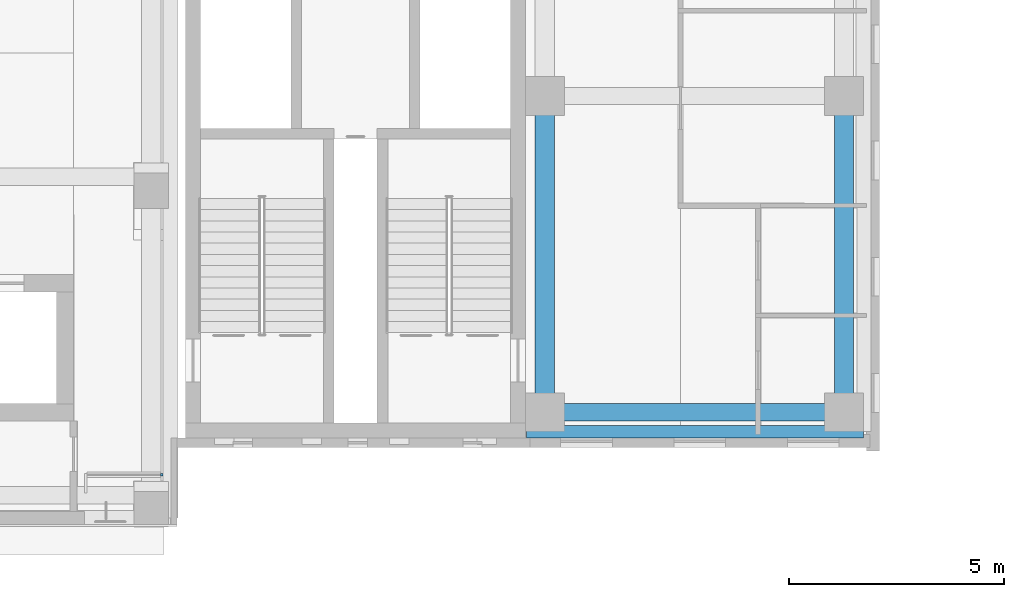
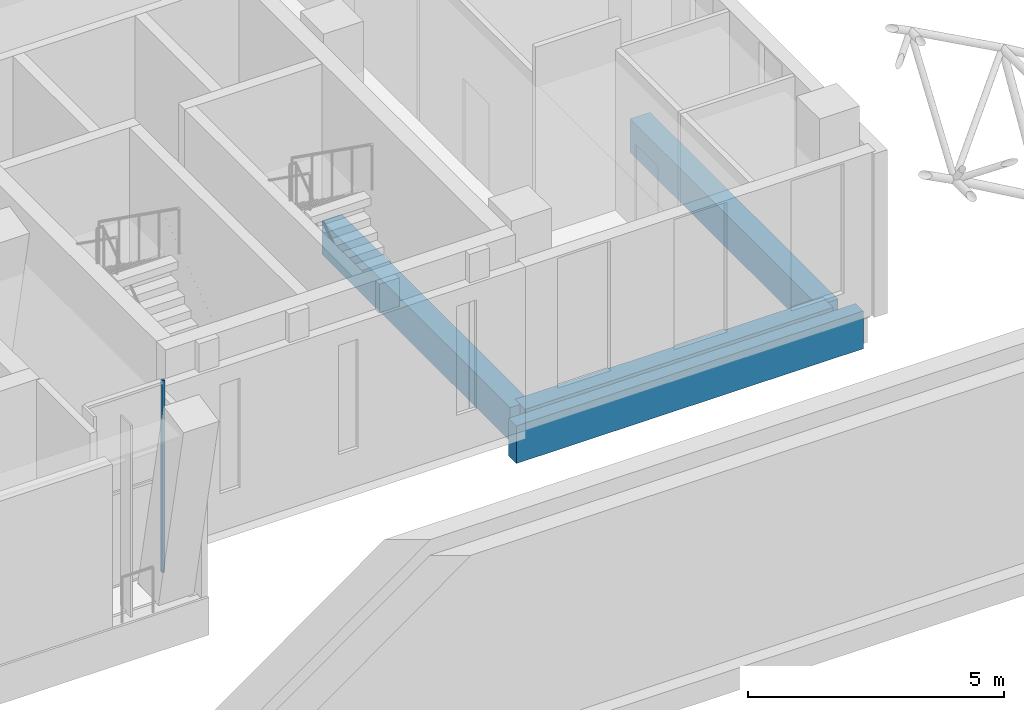
# One storey, part 56 of 141: 4 beams, 1 member, 1 element without a shape of its own.
"""IFC4 building model written with IfcOpenShell, lengths in metres."""

import ifcopenshell
import ifcopenshell.guid

model = None  # the IFC model being written
_history = None  # IfcOwnerHistory: only IFC2X3 demands one
_inside = {}  # id of a spatial element -> (the spatial element, [elements in it])
_under = {}  # id of a project, library or spatial element -> (it, [spatial elements below it])
_declared = {}  # id of a project -> (the project, [libraries it declares])
_typed = {}  # id of a type object -> (the type object, [elements of that type])
_made_of = {}  # id of a material, layer set ... -> (it, [elements and type objects made of it])


def new_model(schema):
    """Start an empty IFC model of exactly this schema.

    Asked for "IFC4X3", IfcOpenShell would pick the latest addendum, in which some entities
    have other attributes; the version numbers below select the first issue.
    IFC2X3 requires an IfcOwnerHistory on every rooted entity: one is made here for all.
    """
    global model, _history
    if schema == "IFC4X3":
        model = ifcopenshell.file(schema_version=(4, 3, 0, 0))
    else:
        model = ifcopenshell.file(schema=schema)
    _inside.clear()
    _under.clear()
    _declared.clear()
    _typed.clear()
    _made_of.clear()
    _history = None
    if model.schema == "IFC2X3":
        org = make("IfcOrganization", Name="unknown")
        user = make(
            "IfcPersonAndOrganization",
            ThePerson=make("IfcPerson", FamilyName="unknown"),
            TheOrganization=org,
        )
        app = make(
            "IfcApplication",
            ApplicationDeveloper=org,
            Version="unknown",
            ApplicationFullName="unknown",
            ApplicationIdentifier="unknown",
        )
        _history = make(
            "IfcOwnerHistory",
            OwningUser=user,
            OwningApplication=app,
            ChangeAction="ADDED",
            CreationDate=0,
        )
    return model


def make(cls, **values):
    """One entity of the class cls with the attributes given. An attribute that is None is left unset."""
    return model.create_entity(
        cls, **{name: value for name, value in values.items() if value is not None}
    )


def rooted(cls, **values):
    """An entity with a GlobalId (a new one), such as an element, a storey or a relation."""
    return make(cls, GlobalId=ifcopenshell.guid.new(), OwnerHistory=_history, **values)


def si_unit(unit_type, name, prefix=None):
    """IfcSIUnit, for example si_unit("LENGTHUNIT", "METRE", prefix="MILLI")."""
    return make("IfcSIUnit", UnitType=unit_type, Prefix=prefix, Name=name)


def assignment(units):
    """IfcUnitAssignment: the units of a project."""
    return None if units is None else make("IfcUnitAssignment", Units=units)


def point(xyz):
    """IfcCartesianPoint."""
    return None if xyz is None else make("IfcCartesianPoint", Coordinates=xyz)


def direction(xyz):
    """IfcDirection."""
    return None if xyz is None else make("IfcDirection", DirectionRatios=xyz)


def frame(location, z_axis=None, x_axis=None):
    """IfcAxis2Placement3D, a coordinate frame: its origin and axes. An axis left out is left unset."""
    return make(
        "IfcAxis2Placement3D",
        Location=point(location),
        Axis=direction(z_axis),
        RefDirection=direction(x_axis),
    )


def frame_2d(location, x_axis=None):
    """IfcAxis2Placement2D, a coordinate frame in the plane: its origin and x axis."""
    return make(
        "IfcAxis2Placement2D", Location=point(location), RefDirection=direction(x_axis)
    )


def origin():
    """The frame at (0, 0, 0) with its axes left unset."""
    return frame((0.0, 0.0, 0.0))


def origin_2d():
    """The frame at (0, 0) in the plane with its x axis left unset."""
    return frame_2d((0.0, 0.0))


def place(relative_to, where):
    """IfcLocalPlacement: puts the frame where relative to a parent placement (None: the world)."""
    return make(
        "IfcLocalPlacement", PlacementRelTo=relative_to, RelativePlacement=where
    )


def context(
    kind, dimensions, precision=None, world=None, true_north=None, identifier=None
):
    """IfcGeometricRepresentationContext, for example the 3D "Model" context."""
    return make(
        "IfcGeometricRepresentationContext",
        ContextIdentifier=identifier,
        ContextType=kind,
        CoordinateSpaceDimension=dimensions,
        Precision=precision,
        WorldCoordinateSystem=world,
        TrueNorth=true_north,
    )


def subcontext(parent, identifier, kind, view, scale=None):
    """IfcGeometricRepresentationSubContext, for example "Body" below "Model"."""
    return make(
        "IfcGeometricRepresentationSubContext",
        ContextIdentifier=identifier,
        ContextType=kind,
        ParentContext=parent,
        TargetScale=scale,
        TargetView=view,
    )


def project(units=None, contexts=None):
    """IfcProject with its units and contexts."""
    return rooted(
        "IfcProject",
        Name="project",
        RepresentationContexts=contexts,
        UnitsInContext=assignment(units),
    )


def spatial(cls, under=None, at=None, **own):
    """A site, building, storey or space (cls), placed at a placement, below another one or the project."""
    s = rooted(cls, ObjectPlacement=at, **own)
    if under is not None:
        _under.setdefault(under.id(), (under, []))[1].append(s)
    return s


def profile(cls, at=None, kind="AREA", **sizes):
    """A parametric profile (cls). Its sizes go by their IFC names, for example OverallWidth=200.0."""
    return make(cls, ProfileType=kind, Position=at, **sizes)


def rectangle(**sizes):
    """IfcRectangleProfileDef."""
    return profile("IfcRectangleProfileDef", **sizes)


def extrude(swept, where, along, depth):
    """IfcExtrudedAreaSolid: the profile swept, set in the frame where, extruded along a direction by depth."""
    return make(
        "IfcExtrudedAreaSolid",
        SweptArea=swept,
        Position=where,
        ExtrudedDirection=direction(along),
        Depth=depth,
    )


def shape(context_of_items, identifier, shape_type, items):
    """IfcShapeRepresentation: the items that make up one representation, for example the "Body"."""
    return make(
        "IfcShapeRepresentation",
        ContextOfItems=context_of_items,
        RepresentationIdentifier=identifier,
        RepresentationType=shape_type,
        Items=items,
    )


def material(Name=None, Category=None):
    """IfcMaterial."""
    return make("IfcMaterial", Name=Name, Category=Category)


def material_profile(
    of_material, cross_section, Name=None, Category=None, Priority=None
):
    """IfcMaterialProfile: a cross section and its material."""
    return make(
        "IfcMaterialProfile",
        Name=Name,
        Material=of_material,
        Profile=cross_section,
        Priority=Priority,
        Category=Category,
    )


def profile_set(profiles, Name=None, composite=None):
    """IfcMaterialProfileSet."""
    return make(
        "IfcMaterialProfileSet",
        Name=Name,
        MaterialProfiles=profiles,
        CompositeProfile=composite,
    )


def made_of(thing, what):
    """Note that an element or type object is made of a material, layer set ...; save() writes the relation."""
    if what is not None:
        _made_of.setdefault(what.id(), (what, []))[1].append(thing)
    return thing


def type_object(cls, material=None, **own):
    """A type object (cls), such as IfcWallType, which elements share."""
    return made_of(rooted(cls, **own), material)


def element(
    cls,
    number,
    at=None,
    inside=None,
    cuts=None,
    type_object=None,
    material=None,
    context=None,
    identifier="Body",
    shape_type=None,
    held_by="IfcProductDefinitionShape",
    body=None,
    shapes=None,
    **own,
):
    """One element of the class cls, such as IfcWall. Its Tag is "e" and its number.

    at: its placement. inside: the storey or other place that contains it. cuts: it is an
    opening in that element (IfcRelVoidsElement). A single representation is given by context,
    identifier, shape_type and body (its items); several are given by shapes. held_by: the class
    of the entity that holds the representations. save() writes the other relations.
    """
    e = rooted(cls, Tag="e%d" % number, ObjectPlacement=at, **own)
    if body is not None:
        shapes = [shape(context, identifier, shape_type, body)]
    if shapes is not None:
        e.Representation = make(held_by, Representations=shapes)
    if inside is not None:
        _inside.setdefault(inside.id(), (inside, []))[1].append(e)
    if cuts is not None:
        rooted(
            "IfcRelVoidsElement", RelatingBuildingElement=cuts, RelatedOpeningElement=e
        )
    if type_object is not None:
        _typed.setdefault(type_object.id(), (type_object, []))[1].append(e)
    return made_of(e, material)


def aggregate(whole, parts):
    """IfcRelAggregates: a whole, such as a stair, and the parts it consists of."""
    return rooted("IfcRelAggregates", RelatingObject=whole, RelatedObjects=parts)


def save(model, path):
    """Write the relations noted so far, then the file.

    IfcRelAggregates (storeys below a building ...), IfcRelContainedInSpatialStructure (elements
    in a storey), IfcRelDefinesByType, IfcRelAssociatesMaterial and IfcRelDeclares: one each for
    every whole, place, type object, material and project.
    """
    for whole, parts in _under.values():
        aggregate(whole, parts)
    for where, things in _inside.values():
        rooted(
            "IfcRelContainedInSpatialStructure",
            RelatedElements=things,
            RelatingStructure=where,
        )
    for kind, things in _typed.values():
        rooted("IfcRelDefinesByType", RelatedObjects=things, RelatingType=kind)
    for what, things in _made_of.values():
        rooted("IfcRelAssociatesMaterial", RelatedObjects=things, RelatingMaterial=what)
    for by, libraries in _declared.values():
        rooted("IfcRelDeclares", RelatingContext=by, RelatedDefinitions=libraries)
    model.write(path)


model = new_model("IFC4")

# Units and contexts
model_context = context("Model", 3, precision=1e-05, world=origin(), true_north=direction((0.0, 1.0)))
body_context = subcontext(model_context, "Body", "Model", "MODEL_VIEW")
ifc_project = project(units=[si_unit("LENGTHUNIT", "METRE"), si_unit("AREAUNIT", "SQUARE_METRE"), si_unit("VOLUMEUNIT", "CUBIC_METRE"), si_unit("PLANEANGLEUNIT", "RADIAN"), si_unit("MASSUNIT", "GRAM", prefix="KILO")], contexts=[model_context])

# Site, building, storey
site_placement = place(None, origin())
site = spatial("IfcSite", under=ifc_project, at=site_placement, CompositionType="ELEMENT")
building_placement = place(site_placement, origin())
building = spatial("IfcBuilding", under=site, at=building_placement, Name="Lantern Court Media Centre", CompositionType="ELEMENT")
storey_placement = place(building_placement, frame((0.0, 0.0, 9.60009765625)))
storey = spatial("IfcBuildingStorey", under=building, at=storey_placement, Name="L02", CompositionType="ELEMENT", Elevation=9.60009765625)

# Curtain wall, member
ifc_material_1 = material(Name="Curtain wall bay 3000")
curtain_wall_type = type_object("IfcCurtainWallType", Name="Curtain wall bay 3000", PredefinedType="NOTDEFINED", material=ifc_material_1)
curtain_wall_placement = place(storey_placement, origin())
curtain_wall = element("IfcCurtainWall", 1, at=curtain_wall_placement, inside=storey, type_object=curtain_wall_type, Name="Curtain wall S outer L02", PredefinedType="NOTDEFINED")
ifc_material_2 = material(Name="Anodised aluminium", Category="aluminium")
ifc_material_profile_1 = material_profile(ifc_material_2, rectangle(XDim=0.06005859375, YDim=0.06005859375, at=origin_2d()), Name="AL 60x60")
ifc_profile_set_1 = profile_set([ifc_material_profile_1], Name="Anodised aluminium")
member_type = type_object("IfcMemberType", Name="Curtain wall mullion 60x60", PredefinedType="MULLION", material=ifc_profile_set_1)
member_placement = place(storey_placement, frame((79.550048828125, 47.14990234375, 0.0), z_axis=(0.0, 0.0, 1.0), x_axis=(0.0, 1.0, 0.0)))
member = element("IfcMember", 2, at=member_placement, type_object=member_type, Name="CW1 mullion 2", PredefinedType="MULLION", context=body_context, shape_type="SweptSolid", body=[
    extrude(rectangle(XDim=0.06005859375, YDim=0.06005859375, at=origin_2d()), origin(), (0.0, 0.0, 1.0), 4.579833984375),
])
aggregate(curtain_wall, [member])

# Beams
ifc_material_3 = material(Name="Concrete C35", Category="concrete")
ifc_material_profile_2 = material_profile(ifc_material_3, rectangle(XDim=0.300048828125, YDim=0.89990234375, at=origin_2d()), Name="RC 300x900")
ifc_profile_set_2 = profile_set([ifc_material_profile_2], Name="Concrete C35")
beam_type_1 = type_object("IfcBeamType", Name="RC BEAM 300x900", PredefinedType="BEAM", material=ifc_profile_set_2)
beam_1_placement = place(storey_placement, frame((88.02001953125, 48.14990234375, -0.4501953125), z_axis=(1.0, 0.0, 0.0), x_axis=(0.0, 1.0, 0.0)))
element("IfcBeam", 3, at=beam_1_placement, inside=storey, type_object=beam_type_1, Name="EB-SE-L02-S", PredefinedType="BEAM", context=body_context, shape_type="SweptSolid", body=[
    extrude(rectangle(XDim=0.300048828125, YDim=0.89990234375, at=origin_2d()), origin(), (0.0, 0.0, 1.0), 7.830078125),
])
ifc_material_profile_3 = material_profile(ifc_material_3, rectangle(XDim=0.39990234375, YDim=0.800048828125, at=origin_2d()), Name="RC 400x800")
ifc_profile_set_3 = profile_set([ifc_material_profile_3], Name="Concrete C35")
beam_type_2 = type_object("IfcBeamType", Name="RC BEAM 400x800", PredefinedType="BEAM", material=ifc_profile_set_3)
beam_2_placement = place(storey_placement, frame((88.449951171875, 48.60009765625, -0.400146484375), z_axis=(1.0, 0.0, 0.0), x_axis=(0.0, 1.0, 0.0)))
element("IfcBeam", 4, at=beam_2_placement, inside=storey, type_object=beam_type_2, Name="BB-SE-L02-Y0-48", PredefinedType="BEAM", context=body_context, shape_type="SweptSolid", body=[
    extrude(rectangle(XDim=0.39990234375, YDim=0.800048828125, at=origin_2d()), origin(), (0.0, 0.0, 1.0), 6.949951171875),
])
ifc_material_profile_4 = material_profile(ifc_material_3, rectangle(XDim=0.449951171875, YDim=0.800048828125, at=origin_2d()), Name="RC 450x800")
ifc_profile_set_4 = profile_set([ifc_material_profile_4], Name="Concrete C35")
beam_type_3 = type_object("IfcBeamType", Name="RC BEAM 450x800", PredefinedType="BEAM", material=ifc_profile_set_4)
for number, where, z_axis, x_axis, name in (
    (5, (88.449951171875, 48.60009765625, -0.400146484375), (0.0, 1.0, 0.0), (-1.0, 0.0, 0.0), "BB-SE-L02-X0-88"),
    (6, (95.39990234375, 48.60009765625, -0.400146484375), (0.0, 1.0, 0.0), (-1.0, 0.0, 0.0), "BB-SE-L02-X0-95"),
):
    element("IfcBeam", number, at=place(storey_placement, frame(where, z_axis=z_axis, x_axis=x_axis)), inside=storey, type_object=beam_type_3, Name=name, PredefinedType="BEAM", context=body_context, shape_type="SweptSolid", body=[
        extrude(rectangle(XDim=0.449951171875, YDim=0.800048828125, at=origin_2d()), origin(), (0.0, 0.0, 1.0), 7.349853515625),
    ])

save(model, "model.ifc")
